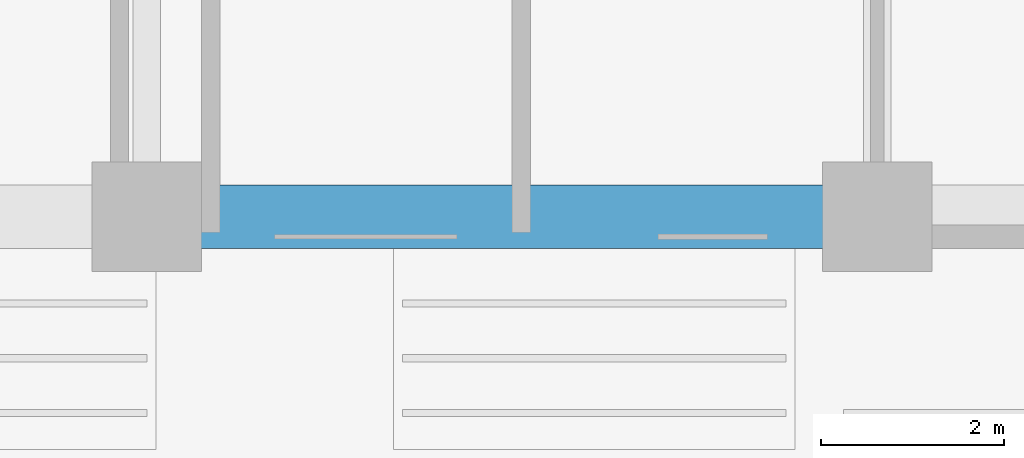
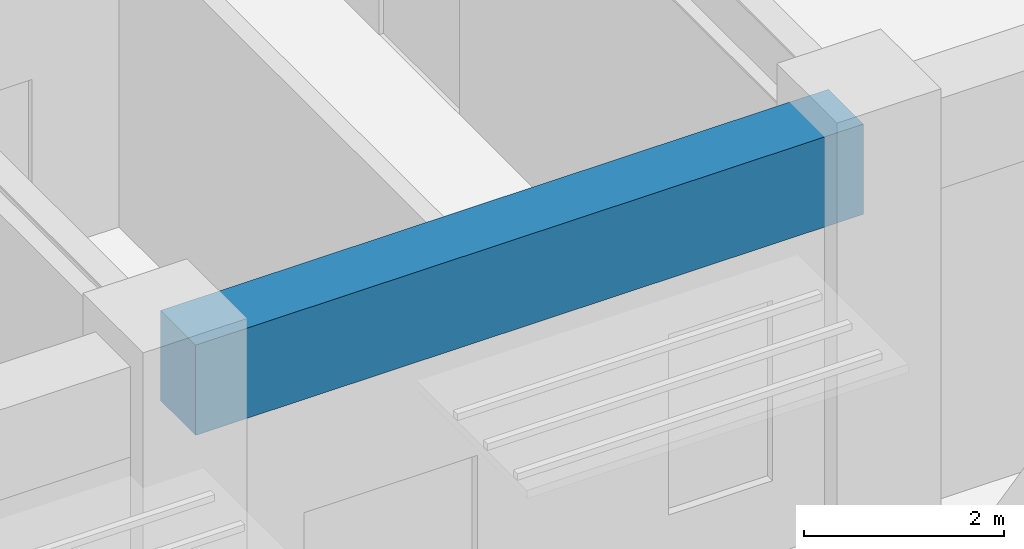
# One storey, part 3 of 40: 1 beam.
"""IFC4 building model written with IfcOpenShell, lengths in metres."""

from ifc_helpers import new_model, si_unit, direction, frame, origin, origin_2d, place, context, subcontext, project, spatial, rectangle, extrude, source, transform, mapped, material, material_profile, profile_set, type_object, element, save


model = new_model("IFC4")

# Units and contexts
model_context = context("Model", 3, precision=1e-05, world=origin(), true_north=direction((0.0, 1.0)))
body_context = subcontext(model_context, "Body", "Model", "MODEL_VIEW")
ifc_project = project(units=[si_unit("LENGTHUNIT", "METRE"), si_unit("AREAUNIT", "SQUARE_METRE"), si_unit("VOLUMEUNIT", "CUBIC_METRE"), si_unit("PLANEANGLEUNIT", "RADIAN"), si_unit("MASSUNIT", "GRAM", prefix="KILO")], contexts=[model_context])

# Site, building, storey
site_placement = place(None, origin())
site = spatial("IfcSite", under=ifc_project, at=site_placement, CompositionType="ELEMENT")
building_placement = place(site_placement, origin())
building = spatial("IfcBuilding", under=site, at=building_placement, Name="Trelvane Seafront Commons", CompositionType="ELEMENT")
storey_placement = place(building_placement, origin())
storey = spatial("IfcBuildingStorey", under=building, at=storey_placement, Name="L00", CompositionType="ELEMENT", Elevation=0.0)

# Beam
ifc_material = material(Name="Concrete C50/60", Category="concrete")
ifc_material_profile = material_profile(ifc_material, rectangle(XDim=0.699951171875, YDim=1.10009765625, at=origin_2d()), Name="RC-700x1100")
ifc_profile_set = profile_set([ifc_material_profile], Name="Concrete C50/60")
beam_type = type_object("IfcBeamType", Name="STR-TBM-RC700x1100", PredefinedType="T_BEAM", material=ifc_profile_set)
shared_shape = source(origin(), body_context, "Body", "SweptSolid", [
    extrude(rectangle(XDim=0.699951171875, YDim=1.10009765625, at=origin_2d()), origin(), (0.0, 0.0, 1.0), 7.699951171875),
])
beam_placement = place(storey_placement, frame((7.75, 3.949951171875, 4.330078125), z_axis=(1.0, 0.0, 0.0), x_axis=(0.0, 1.0, 0.0)))
element("IfcBeam", 1, at=beam_placement, inside=storey, type_object=beam_type, Name="L00 Primary Girder G-02", PredefinedType="T_BEAM", context=body_context, shape_type="MappedRepresentation", body=[
    mapped(shared_shape, transform((0.0, 0.0, 0.0), x_axis=(1.0, 0.0, 0.0), y_axis=(0.0, 1.0, 0.0), z_axis=(0.0, 0.0, 1.0), scale=1.0)),
])

save(model, "model.ifc")
